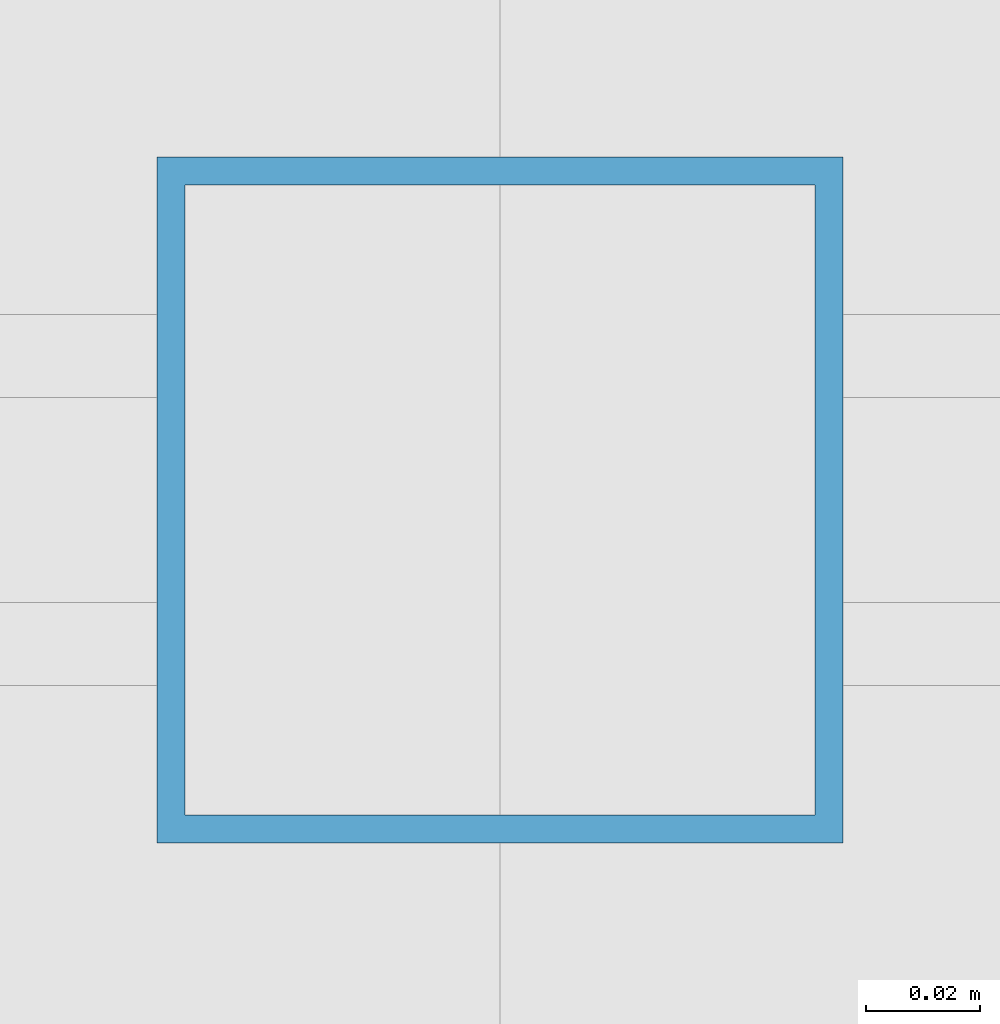
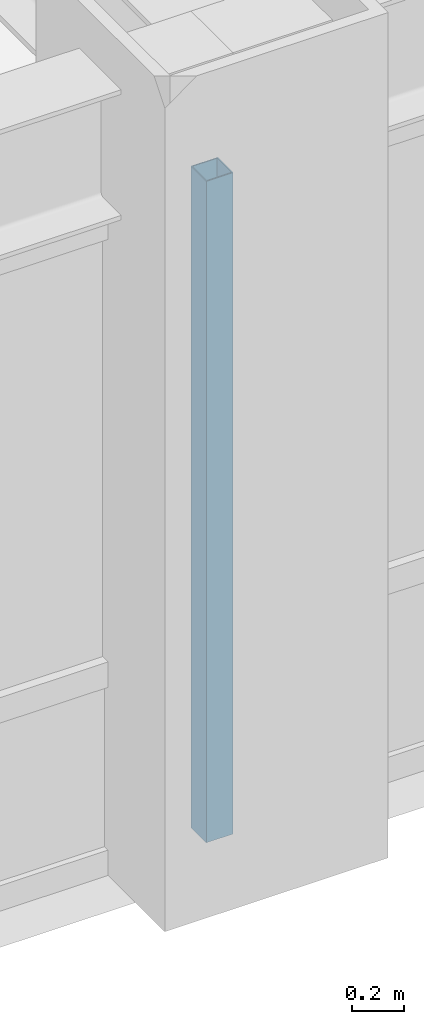
# One storey, part 4 of 25: 1 member, 1 element without a shape of its own.
"""IFC4 building model written with IfcOpenShell, lengths in metres."""

import ifcopenshell
import ifcopenshell.guid

model = None  # the IFC model being written
_history = None  # IfcOwnerHistory: only IFC2X3 demands one
_inside = {}  # id of a spatial element -> (the spatial element, [elements in it])
_under = {}  # id of a project, library or spatial element -> (it, [spatial elements below it])
_declared = {}  # id of a project -> (the project, [libraries it declares])
_typed = {}  # id of a type object -> (the type object, [elements of that type])
_made_of = {}  # id of a material, layer set ... -> (it, [elements and type objects made of it])


def new_model(schema):
    """Start an empty IFC model of exactly this schema.

    Asked for "IFC4X3", IfcOpenShell would pick the latest addendum, in which some entities
    have other attributes; the version numbers below select the first issue.
    IFC2X3 requires an IfcOwnerHistory on every rooted entity: one is made here for all.
    """
    global model, _history
    if schema == "IFC4X3":
        model = ifcopenshell.file(schema_version=(4, 3, 0, 0))
    else:
        model = ifcopenshell.file(schema=schema)
    _inside.clear()
    _under.clear()
    _declared.clear()
    _typed.clear()
    _made_of.clear()
    _history = None
    if model.schema == "IFC2X3":
        org = make("IfcOrganization", Name="unknown")
        user = make(
            "IfcPersonAndOrganization",
            ThePerson=make("IfcPerson", FamilyName="unknown"),
            TheOrganization=org,
        )
        app = make(
            "IfcApplication",
            ApplicationDeveloper=org,
            Version="unknown",
            ApplicationFullName="unknown",
            ApplicationIdentifier="unknown",
        )
        _history = make(
            "IfcOwnerHistory",
            OwningUser=user,
            OwningApplication=app,
            ChangeAction="ADDED",
            CreationDate=0,
        )
    return model


def make(cls, **values):
    """One entity of the class cls with the attributes given. An attribute that is None is left unset."""
    return model.create_entity(
        cls, **{name: value for name, value in values.items() if value is not None}
    )


def rooted(cls, **values):
    """An entity with a GlobalId (a new one), such as an element, a storey or a relation."""
    return make(cls, GlobalId=ifcopenshell.guid.new(), OwnerHistory=_history, **values)


def si_unit(unit_type, name, prefix=None):
    """IfcSIUnit, for example si_unit("LENGTHUNIT", "METRE", prefix="MILLI")."""
    return make("IfcSIUnit", UnitType=unit_type, Prefix=prefix, Name=name)


def assignment(units):
    """IfcUnitAssignment: the units of a project."""
    return None if units is None else make("IfcUnitAssignment", Units=units)


def point(xyz):
    """IfcCartesianPoint."""
    return None if xyz is None else make("IfcCartesianPoint", Coordinates=xyz)


def direction(xyz):
    """IfcDirection."""
    return None if xyz is None else make("IfcDirection", DirectionRatios=xyz)


def frame(location, z_axis=None, x_axis=None):
    """IfcAxis2Placement3D, a coordinate frame: its origin and axes. An axis left out is left unset."""
    return make(
        "IfcAxis2Placement3D",
        Location=point(location),
        Axis=direction(z_axis),
        RefDirection=direction(x_axis),
    )


def frame_2d(location, x_axis=None):
    """IfcAxis2Placement2D, a coordinate frame in the plane: its origin and x axis."""
    return make(
        "IfcAxis2Placement2D", Location=point(location), RefDirection=direction(x_axis)
    )


def origin():
    """The frame at (0, 0, 0) with its axes left unset."""
    return frame((0.0, 0.0, 0.0))


def origin_2d():
    """The frame at (0, 0) in the plane with its x axis left unset."""
    return frame_2d((0.0, 0.0))


def place(relative_to, where):
    """IfcLocalPlacement: puts the frame where relative to a parent placement (None: the world)."""
    return make(
        "IfcLocalPlacement", PlacementRelTo=relative_to, RelativePlacement=where
    )


def context(
    kind, dimensions, precision=None, world=None, true_north=None, identifier=None
):
    """IfcGeometricRepresentationContext, for example the 3D "Model" context."""
    return make(
        "IfcGeometricRepresentationContext",
        ContextIdentifier=identifier,
        ContextType=kind,
        CoordinateSpaceDimension=dimensions,
        Precision=precision,
        WorldCoordinateSystem=world,
        TrueNorth=true_north,
    )


def subcontext(parent, identifier, kind, view, scale=None):
    """IfcGeometricRepresentationSubContext, for example "Body" below "Model"."""
    return make(
        "IfcGeometricRepresentationSubContext",
        ContextIdentifier=identifier,
        ContextType=kind,
        ParentContext=parent,
        TargetScale=scale,
        TargetView=view,
    )


def project(units=None, contexts=None):
    """IfcProject with its units and contexts."""
    return rooted(
        "IfcProject",
        Name="project",
        RepresentationContexts=contexts,
        UnitsInContext=assignment(units),
    )


def spatial(cls, under=None, at=None, **own):
    """A site, building, storey or space (cls), placed at a placement, below another one or the project."""
    s = rooted(cls, ObjectPlacement=at, **own)
    if under is not None:
        _under.setdefault(under.id(), (under, []))[1].append(s)
    return s


def profile(cls, at=None, kind="AREA", **sizes):
    """A parametric profile (cls). Its sizes go by their IFC names, for example OverallWidth=200.0."""
    return make(cls, ProfileType=kind, Position=at, **sizes)


def hollow_rectangle(**sizes):
    """IfcRectangleHollowProfileDef."""
    return profile("IfcRectangleHollowProfileDef", **sizes)


def extrude(swept, where, along, depth):
    """IfcExtrudedAreaSolid: the profile swept, set in the frame where, extruded along a direction by depth."""
    return make(
        "IfcExtrudedAreaSolid",
        SweptArea=swept,
        Position=where,
        ExtrudedDirection=direction(along),
        Depth=depth,
    )


def shape(context_of_items, identifier, shape_type, items):
    """IfcShapeRepresentation: the items that make up one representation, for example the "Body"."""
    return make(
        "IfcShapeRepresentation",
        ContextOfItems=context_of_items,
        RepresentationIdentifier=identifier,
        RepresentationType=shape_type,
        Items=items,
    )


def source(mapping_origin, context_of_items, identifier, shape_type, items):
    """IfcRepresentationMap: a shape defined once, which mapped items show again and again."""
    return make(
        "IfcRepresentationMap",
        MappingOrigin=mapping_origin,
        MappedRepresentation=shape(context_of_items, identifier, shape_type, items),
    )


def transform(
    local_origin,
    x_axis=None,
    y_axis=None,
    z_axis=None,
    scale=None,
    scale2=None,
    scale3=None,
    uniform=True,
):
    """IfcCartesianTransformationOperator3D, or its non-uniform kind. x_axis, y_axis, z_axis: its Axis1, 2, 3."""
    if uniform:
        return make(
            "IfcCartesianTransformationOperator3D",
            Axis1=direction(x_axis),
            Axis2=direction(y_axis),
            LocalOrigin=point(local_origin),
            Scale=scale,
            Axis3=direction(z_axis),
        )
    return make(
        "IfcCartesianTransformationOperator3DnonUniform",
        Axis1=direction(x_axis),
        Axis2=direction(y_axis),
        LocalOrigin=point(local_origin),
        Scale=scale,
        Axis3=direction(z_axis),
        Scale2=scale2,
        Scale3=scale3,
    )


def mapped(mapping_source, mapping_target):
    """IfcMappedItem: shows the shape of a source again, moved by a transform."""
    return make(
        "IfcMappedItem", MappingSource=mapping_source, MappingTarget=mapping_target
    )


def material(Name=None, Category=None):
    """IfcMaterial."""
    return make("IfcMaterial", Name=Name, Category=Category)


def material_profile(
    of_material, cross_section, Name=None, Category=None, Priority=None
):
    """IfcMaterialProfile: a cross section and its material."""
    return make(
        "IfcMaterialProfile",
        Name=Name,
        Material=of_material,
        Profile=cross_section,
        Priority=Priority,
        Category=Category,
    )


def profile_set(profiles, Name=None, composite=None):
    """IfcMaterialProfileSet."""
    return make(
        "IfcMaterialProfileSet",
        Name=Name,
        MaterialProfiles=profiles,
        CompositeProfile=composite,
    )


def made_of(thing, what):
    """Note that an element or type object is made of a material, layer set ...; save() writes the relation."""
    if what is not None:
        _made_of.setdefault(what.id(), (what, []))[1].append(thing)
    return thing


def type_object(cls, material=None, **own):
    """A type object (cls), such as IfcWallType, which elements share."""
    return made_of(rooted(cls, **own), material)


def element(
    cls,
    number,
    at=None,
    inside=None,
    cuts=None,
    type_object=None,
    material=None,
    context=None,
    identifier="Body",
    shape_type=None,
    held_by="IfcProductDefinitionShape",
    body=None,
    shapes=None,
    **own,
):
    """One element of the class cls, such as IfcWall. Its Tag is "e" and its number.

    at: its placement. inside: the storey or other place that contains it. cuts: it is an
    opening in that element (IfcRelVoidsElement). A single representation is given by context,
    identifier, shape_type and body (its items); several are given by shapes. held_by: the class
    of the entity that holds the representations. save() writes the other relations.
    """
    e = rooted(cls, Tag="e%d" % number, ObjectPlacement=at, **own)
    if body is not None:
        shapes = [shape(context, identifier, shape_type, body)]
    if shapes is not None:
        e.Representation = make(held_by, Representations=shapes)
    if inside is not None:
        _inside.setdefault(inside.id(), (inside, []))[1].append(e)
    if cuts is not None:
        rooted(
            "IfcRelVoidsElement", RelatingBuildingElement=cuts, RelatedOpeningElement=e
        )
    if type_object is not None:
        _typed.setdefault(type_object.id(), (type_object, []))[1].append(e)
    return made_of(e, material)


def aggregate(whole, parts):
    """IfcRelAggregates: a whole, such as a stair, and the parts it consists of."""
    return rooted("IfcRelAggregates", RelatingObject=whole, RelatedObjects=parts)


def save(model, path):
    """Write the relations noted so far, then the file.

    IfcRelAggregates (storeys below a building ...), IfcRelContainedInSpatialStructure (elements
    in a storey), IfcRelDefinesByType, IfcRelAssociatesMaterial and IfcRelDeclares: one each for
    every whole, place, type object, material and project.
    """
    for whole, parts in _under.values():
        aggregate(whole, parts)
    for where, things in _inside.values():
        rooted(
            "IfcRelContainedInSpatialStructure",
            RelatedElements=things,
            RelatingStructure=where,
        )
    for kind, things in _typed.values():
        rooted("IfcRelDefinesByType", RelatedObjects=things, RelatingType=kind)
    for what, things in _made_of.values():
        rooted("IfcRelAssociatesMaterial", RelatedObjects=things, RelatingMaterial=what)
    for by, libraries in _declared.values():
        rooted("IfcRelDeclares", RelatingContext=by, RelatedDefinitions=libraries)
    model.write(path)


model = new_model("IFC4")

# Units and contexts
model_context = context("Model", 3, precision=1e-05, world=origin(), true_north=direction((0.0, 1.0)))
body_context = subcontext(model_context, "Body", "Model", "MODEL_VIEW")
ifc_project = project(units=[si_unit("LENGTHUNIT", "METRE"), si_unit("AREAUNIT", "SQUARE_METRE"), si_unit("VOLUMEUNIT", "CUBIC_METRE"), si_unit("PLANEANGLEUNIT", "RADIAN"), si_unit("MASSUNIT", "GRAM", prefix="KILO")], contexts=[model_context])

# Site, building, storey
site_placement = place(None, origin())
site = spatial("IfcSite", under=ifc_project, at=site_placement, CompositionType="ELEMENT")
building_placement = place(site_placement, origin())
building = spatial("IfcBuilding", under=site, at=building_placement, Name="Khorayat Bourse Tower", CompositionType="ELEMENT")
storey_placement = place(building_placement, frame((0.0, 0.0, 251.10009765625)))
storey = spatial("IfcBuildingStorey", under=building, at=storey_placement, Name="L59", CompositionType="ELEMENT", Elevation=251.10009765625)

# Curtain wall, member
ifc_material = material(Name="Aluminium EN AW-6063 T6", Category="aluminium")
curtain_wall_type = type_object("IfcCurtainWallType", Name="CW-SYS-03", PredefinedType="NOTDEFINED", material=ifc_material)
curtain_wall_placement = place(storey_placement, origin())
curtain_wall = element("IfcCurtainWall", 1, at=curtain_wall_placement, inside=storey, type_object=curtain_wall_type, Name="L59 Curtain Wall CW-L59-S1", PredefinedType="NOTDEFINED")
ifc_material_profile = material_profile(ifc_material, hollow_rectangle(XDim=0.1201171875, YDim=0.1201171875, WallThickness=0.0048828125, at=origin_2d()), Name="ALU 120x120x5")
ifc_profile_set = profile_set([ifc_material_profile], Name="Aluminium EN AW-6063 T6")
member_type = type_object("IfcMemberType", Name="CWM-VERT-120", PredefinedType="MULLION", material=ifc_profile_set)
shared_shape = source(origin(), body_context, "Body", "SweptSolid", [
    extrude(hollow_rectangle(XDim=0.1201171875, YDim=0.1201171875, WallThickness=0.0048828125, at=origin_2d()), origin(), (0.0, 0.0, 1.0), 3.1298828125),
])
member_placement = place(storey_placement, frame((0.0, -30.0, 0.0), z_axis=(0.0, 0.0, 1.0), x_axis=(0.0, 1.0, 0.0)))
member = element("IfcMember", 2, at=member_placement, type_object=member_type, Name="CW-L59-S1 Vertical Mullion 2", PredefinedType="MULLION", context=body_context, shape_type="MappedRepresentation", body=[
    mapped(shared_shape, transform((0.0, 0.0, 0.0), scale=1.0)),
])
aggregate(curtain_wall, [member])

save(model, "model.ifc")
